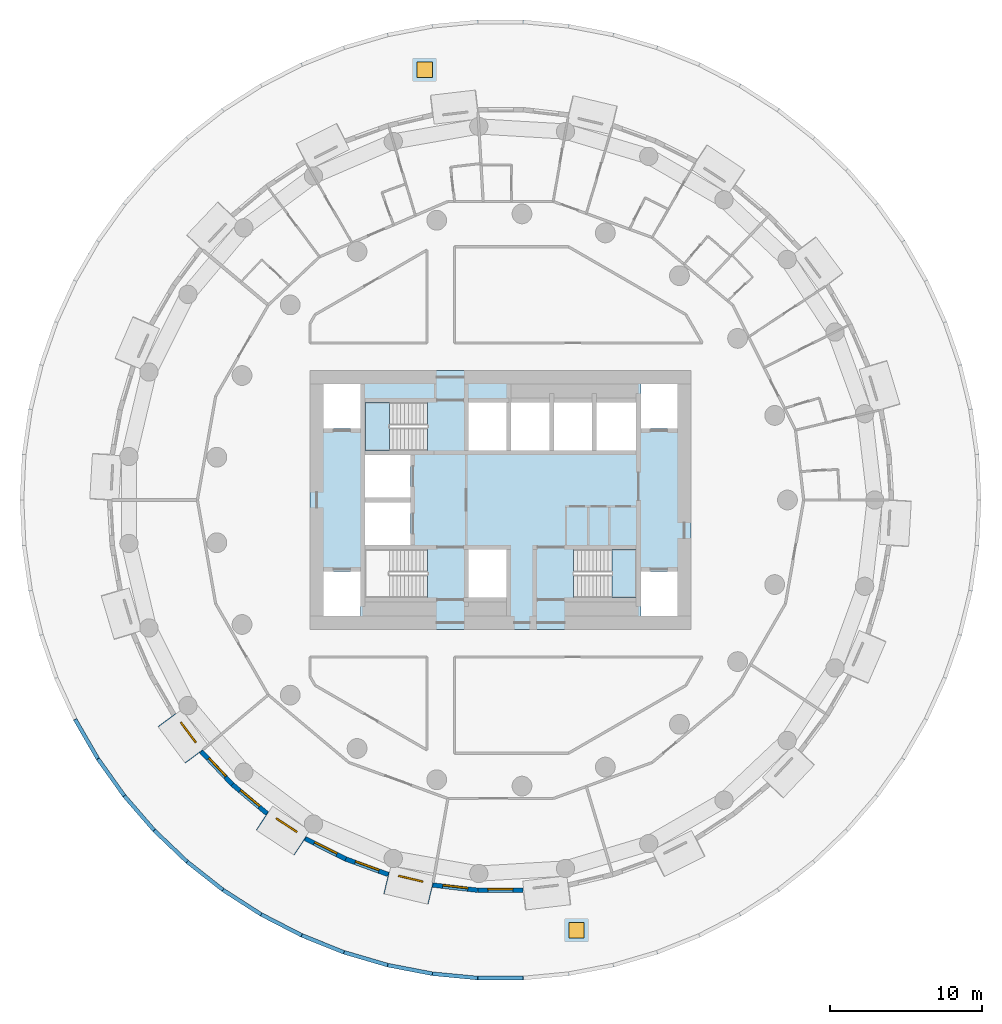
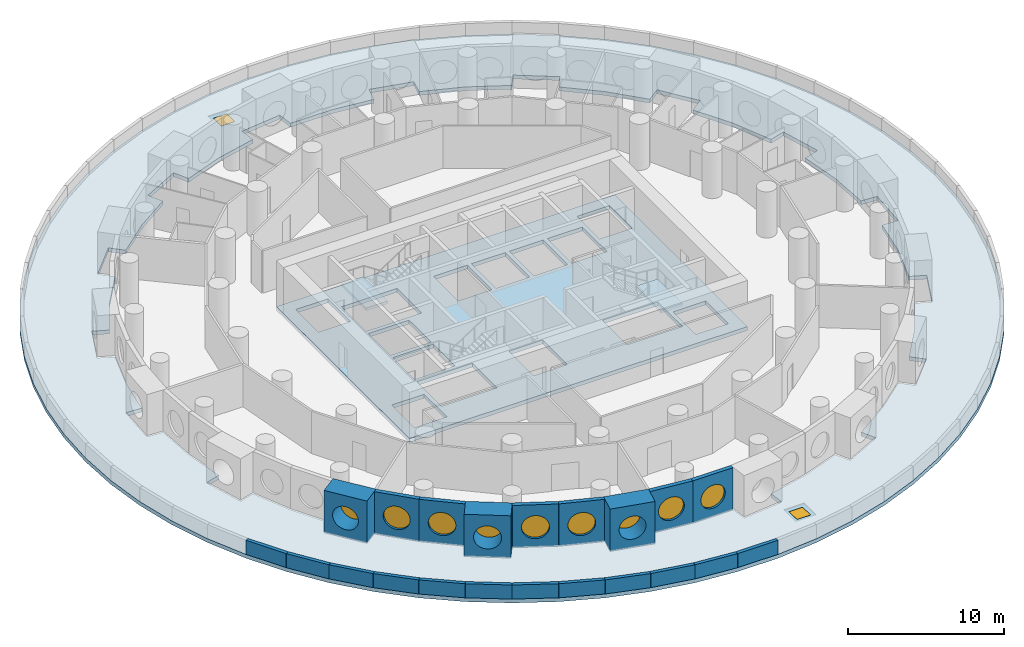
# One storey, part 2 of 13: 21 walls, 11 windows, 4 slabs, 11 openings, 2 elements without a shape of their own.
"""IFC4 building model written with IfcOpenShell, lengths in metres."""

from ifc_helpers import new_model, si_unit, direction, frame, frame_2d, origin, origin_2d, place, context, subcontext, project, spatial, polyline, rectangle, circle, outline, extrude, material, layer, layer_set, type_object, element, fill, aggregate, save


model = new_model("IFC4")

# Units and contexts
model_context = context("Model", 3, precision=1e-05, world=origin(), true_north=direction((0.0, 1.0)))
body_context = subcontext(model_context, "Body", "Model", "MODEL_VIEW")
ifc_project = project(units=[si_unit("LENGTHUNIT", "METRE"), si_unit("AREAUNIT", "SQUARE_METRE"), si_unit("VOLUMEUNIT", "CUBIC_METRE"), si_unit("PLANEANGLEUNIT", "RADIAN"), si_unit("MASSUNIT", "GRAM", prefix="KILO")], contexts=[model_context])

# Site, building, storey
site_placement = place(None, origin())
site = spatial("IfcSite", under=ifc_project, at=site_placement, CompositionType="ELEMENT")
building_placement = place(site_placement, origin())
building = spatial("IfcBuilding", under=site, at=building_placement, Name="Tracery Tower", CompositionType="ELEMENT")
storey_placement = place(building_placement, frame((0.0, 0.0, 126.0)))
storey = spatial("IfcBuildingStorey", under=building, at=storey_placement, Name="L31", CompositionType="ELEMENT", Elevation=126.0)

# Slab
ifc_material_1 = material(Name="Concrete C50/60", Category="concrete")
ifc_layer_1 = layer(ifc_material_1, 0.300048828125)
ifc_layer_set_1 = layer_set([ifc_layer_1], Name="Core floor slab 300 C50")
slab_type_1 = type_object("IfcSlabType", Name="Core floor slab 300 C50", PredefinedType="FLOOR", material=ifc_layer_set_1)
slab_1_placement = place(storey_placement, frame((0.0, 0.0, -0.300048828125)))
element("IfcSlab", 1, at=slab_1_placement, inside=storey, type_object=slab_type_1, Name="L31 core floor 1", PredefinedType="FLOOR", context=body_context, shape_type="SweptSolid", body=[
    extrude(outline(polyline([(-12.5, 8.5), (12.5, 8.5), (12.5, -8.5), (-12.5, -8.5), (-12.5, 8.5)]), holes=[polyline([(11.60009765625, -4.699951171875), (9.199951171875, -4.699951171875), (9.199951171875, -7.60009765625), (11.60009765625, -7.60009765625), (11.60009765625, -4.699951171875)]), polyline([(11.60009765625, 4.699951171875), (11.60009765625, 7.60009765625), (9.199951171875, 7.60009765625), (9.199951171875, 4.699951171875), (11.60009765625, 4.699951171875)]), polyline([(4.800537109375, -6.39990234375), (8.89990234375, -6.39990234375), (8.89990234375, -3.25), (4.800537109375, -3.25), (4.800537109375, -6.39990234375)]), polyline([(8.89990234375, 3.25), (8.89990234375, 6.39990234375), (6.300048828125, 6.39990234375), (6.300048828125, 3.25), (8.89990234375, 3.25)]), polyline([(6.0, 3.25), (6.0, 6.39990234375), (3.5, 6.39990234375), (3.5, 3.25), (6.0, 3.25)]), polyline([(3.199951171875, 3.25), (3.199951171875, 6.39990234375), (0.699951171875, 6.39990234375), (0.699951171875, 3.25), (3.199951171875, 3.25)]), polyline([(0.39990234375, -6.39990234375), (0.39990234375, -3.25), (-2.10009765625, -3.25), (-2.10009765625, -6.39990234375), (0.39990234375, -6.39990234375)]), polyline([(0.39990234375, 3.25), (0.39990234375, 6.39990234375), (-2.10009765625, 6.39990234375), (-2.10009765625, 3.25), (0.39990234375, 3.25)]), polyline([(-4.800537109375, -3.25), (-8.89990234375, -3.25), (-8.89990234375, -6.39990234375), (-4.800537109375, -6.39990234375), (-4.800537109375, -3.25)]), polyline([(-4.800537109375, 6.39990234375), (-8.89990234375, 6.39990234375), (-8.89990234375, 3.25), (-4.800537109375, 3.25), (-4.800537109375, 6.39990234375)]), polyline([(-5.89990234375, -2.949951171875), (-5.89990234375, -0.14990234375), (-8.89990234375, -0.14990234375), (-8.89990234375, -2.949951171875), (-5.89990234375, -2.949951171875)]), polyline([(-5.89990234375, 0.14990234375), (-5.89990234375, 2.949951171875), (-8.89990234375, 2.949951171875), (-8.89990234375, 0.14990234375), (-5.89990234375, 0.14990234375)]), polyline([(-9.199951171875, -4.699951171875), (-11.60009765625, -4.699951171875), (-11.60009765625, -7.60009765625), (-9.199951171875, -7.60009765625), (-9.199951171875, -4.699951171875)]), polyline([(-9.199951171875, 4.699951171875), (-9.199951171875, 7.60009765625), (-11.60009765625, 7.60009765625), (-11.60009765625, 4.699951171875), (-9.199951171875, 4.699951171875)])]), origin(), (0.0, 0.0, 1.0), 0.300048828125),
])

# Stair, slab
ifc_material_2 = material(Name="Concrete C32/40", Category="concrete")
stair_type = type_object("IfcStairType", Name="Core stair 22 risers", PredefinedType="HALF_TURN_STAIR", material=ifc_material_2)
stair_1_placement = place(storey_placement, origin())
stair_1 = element("IfcStair", 2, at=stair_1_placement, inside=storey, type_object=stair_type, Name="L31 stair ST3", PredefinedType="HALF_TURN_STAIR")
ifc_material_3 = material(Name="Concrete C32/40", Category="concrete")
ifc_layer_2 = layer(ifc_material_3, 0.199951171875)
ifc_layer_set_2 = layer_set([ifc_layer_2], Name="Stair landing slab 200")
slab_type_2 = type_object("IfcSlabType", Name="Stair landing slab 200", PredefinedType="LANDING", material=ifc_layer_set_2)
slab_2_placement = place(storey_placement, frame((0.0, 0.0, 1.60009765625)))
slab_2 = element("IfcSlab", 3, at=slab_2_placement, type_object=slab_type_2, Name="ST3 landing 1", PredefinedType="LANDING", context=body_context, shape_type="SweptSolid", body=[
    extrude(outline(polyline([(-7.29931640625, 6.39990234375), (-8.89990234375, 6.39990234375), (-8.89990234375, 3.25), (-7.29931640625, 3.25), (-7.29931640625, 6.39990234375)])), origin(), (0.0, 0.0, 1.0), 0.199951171875),
])
aggregate(stair_1, [slab_2])

stair_2_placement = place(storey_placement, origin())
stair_2 = element("IfcStair", 4, at=stair_2_placement, inside=storey, type_object=stair_type, Name="L31 stair ST2", PredefinedType="HALF_TURN_STAIR")
slab_3_placement = place(storey_placement, frame((0.0, 0.0, 1.60009765625)))
slab_3 = element("IfcSlab", 5, at=slab_3_placement, type_object=slab_type_2, Name="ST2 landing 1", PredefinedType="LANDING", context=body_context, shape_type="SweptSolid", body=[
    extrude(outline(polyline([(7.29931640625, -6.39990234375), (8.89990234375, -6.39990234375), (8.89990234375, -3.25), (7.29931640625, -3.25), (7.29931640625, -6.39990234375)])), origin(), (0.0, 0.0, 1.0), 0.199951171875),
])
aggregate(stair_2, [slab_3])

# Slab, openings, windows
ifc_material_4 = material(Name="Concrete C40/50", Category="concrete")
ifc_layer_3 = layer(ifc_material_4, 0.300048828125)
ifc_layer_set_3 = layer_set([ifc_layer_3], Name="Terrace slab 300")
slab_type_3 = type_object("IfcSlabType", Name="Terrace slab 300", PredefinedType="ROOF", material=ifc_layer_set_3)
slab_4_placement = place(storey_placement, frame((0.0, 0.0, -0.300048828125)))
slab_4 = element("IfcSlab", 6, at=slab_4_placement, inside=storey, type_object=slab_type_3, Name="Terrace slab L31", PredefinedType="ROOF", context=body_context, shape_type="SweptSolid", body=[
    extrude(outline(polyline([(31.3818359375, -2.99658203125), (31.524658203125, 0.0), (31.3818359375, 2.99658203125), (30.954833984375, 5.966064453125), (30.24755859375, 8.881591796875), (29.266357421875, 11.716552734375), (28.020263671875, 14.4453125), (26.520263671875, 17.04345703125), (24.780029296875, 19.4873046875), (22.8154296875, 21.75439453125), (20.644287109375, 23.82470703125), (18.2861328125, 25.67919921875), (15.76220703125, 27.301025390625), (13.095703125, 28.67578125), (10.310791015625, 29.790771484375), (7.43212890625, 30.635986328125), (4.486328125, 31.20361328125), (1.5, 31.489013671875), (-1.5, 31.489013671875), (-4.486328125, 31.20361328125), (-7.43212890625, 30.635986328125), (-10.310791015625, 29.790771484375), (-13.095703125, 28.67578125), (-15.76220703125, 27.301025390625), (-18.2861328125, 25.67919921875), (-20.644287109375, 23.82470703125), (-22.8154296875, 21.75439453125), (-24.780029296875, 19.4873046875), (-26.520263671875, 17.04345703125), (-28.020263671875, 14.4453125), (-29.266357421875, 11.716552734375), (-30.24755859375, 8.881591796875), (-30.954833984375, 5.966064453125), (-31.3818359375, 2.99658203125), (-31.524658203125, 0.0), (-31.3818359375, -2.99658203125), (-30.954833984375, -5.966064453125), (-30.24755859375, -8.881591796875), (-29.266357421875, -11.716552734375), (-28.020263671875, -14.4453125), (-26.520263671875, -17.04345703125), (-24.780029296875, -19.4873046875), (-22.8154296875, -21.75439453125), (-20.644287109375, -23.82470703125), (-18.2861328125, -25.67919921875), (-15.76220703125, -27.301025390625), (-13.095703125, -28.67578125), (-10.310791015625, -29.790771484375), (-7.43212890625, -30.635986328125), (-4.486328125, -31.20361328125), (-1.5, -31.489013671875), (1.5, -31.489013671875), (4.486328125, -31.20361328125), (7.43212890625, -30.635986328125), (10.310791015625, -29.790771484375), (13.095703125, -28.67578125), (15.76220703125, -27.301025390625), (18.2861328125, -25.67919921875), (20.644287109375, -23.82470703125), (22.8154296875, -21.75439453125), (24.780029296875, -19.4873046875), (26.520263671875, -17.04345703125), (28.020263671875, -14.4453125), (29.266357421875, -11.716552734375), (30.24755859375, -8.881591796875), (30.954833984375, -5.966064453125), (31.3818359375, -2.99658203125)]), holes=[polyline([(25.102294921875, 5.949462890625), (26.2041015625, 6.279296875), (25.343505859375, 9.1533203125), (24.241943359375, 8.8232421875), (23.0537109375, 11.577880859375), (21.5537109375, 14.176025390625), (22.47607421875, 14.86279296875), (20.6845703125, 17.269287109375), (19.76220703125, 16.58251953125), (17.70361328125, 18.7646484375), (15.4052734375, 20.69287109375), (15.4052734375, 20.69287109375), (16.037353515625, 21.65380859375), (13.53076171875, 23.30224609375), (12.89892578125, 22.341552734375), (10.218017578125, 23.68798828125), (7.39892578125, 24.7138671875), (7.39892578125, 24.7138671875), (7.6640625, 25.8330078125), (4.744873046875, 26.52490234375), (4.479736328125, 25.40576171875), (4.479736328125, 25.40576171875), (1.5, 25.754150390625), (-1.5, 25.754150390625), (-1.5, 25.754150390625), (-1.633544921875, 26.896240234375), (-4.61328125, 26.548095703125), (-4.479736328125, 25.40576171875), (-7.39892578125, 24.7138671875), (-10.218017578125, 23.68798828125), (-10.218017578125, 23.68798828125), (-10.734130859375, 24.715576171875), (-13.4150390625, 23.369140625), (-12.89892578125, 22.341552734375), (-15.4052734375, 20.69287109375), (-17.70361328125, 18.7646484375), (-18.539794921875, 19.5537109375), (-20.5986328125, 17.37158203125), (-19.76220703125, 16.58251953125), (-19.76220703125, 16.58251953125), (-21.5537109375, 14.176025390625), (-23.0537109375, 11.577880859375), (-24.109619140625, 12.033447265625), (-25.2978515625, 9.27880859375), (-24.241943359375, 8.8232421875), (-24.241943359375, 8.8232421875), (-25.102294921875, 5.949462890625), (-25.623291015625, 2.994873046875), (-26.771240234375, 3.061767578125), (-26.94580078125, 0.06689453125), (-25.797607421875, 0.0), (-25.797607421875, 0.0), (-25.623291015625, -2.994873046875), (-25.102294921875, -5.949462890625), (-26.2041015625, -6.279296875), (-25.343505859375, -9.1533203125), (-24.241943359375, -8.8232421875), (-23.0537109375, -11.577880859375), (-21.5537109375, -14.176025390625), (-22.47607421875, -14.86279296875), (-20.6845703125, -17.269287109375), (-19.76220703125, -16.58251953125), (-17.70361328125, -18.7646484375), (-15.4052734375, -20.69287109375), (-15.4052734375, -20.69287109375), (-16.037353515625, -21.65380859375), (-13.53076171875, -23.30224609375), (-12.89892578125, -22.341552734375), (-10.218017578125, -23.68798828125), (-7.39892578125, -24.7138671875), (-7.39892578125, -24.7138671875), (-7.6640625, -25.8330078125), (-4.744873046875, -26.52490234375), (-4.479736328125, -25.40576171875), (-4.479736328125, -25.40576171875), (-1.5, -25.754150390625), (1.5, -25.754150390625), (1.5, -25.754150390625), (1.633544921875, -26.896240234375), (4.61328125, -26.548095703125), (4.479736328125, -25.40576171875), (7.39892578125, -24.7138671875), (10.218017578125, -23.68798828125), (10.218017578125, -23.68798828125), (10.734130859375, -24.715576171875), (13.4150390625, -23.369140625), (12.89892578125, -22.341552734375), (12.89892578125, -22.341552734375), (15.4052734375, -20.69287109375), (17.70361328125, -18.7646484375), (18.539794921875, -19.5537109375), (20.5986328125, -17.37158203125), (19.76220703125, -16.58251953125), (19.76220703125, -16.58251953125), (21.5537109375, -14.176025390625), (23.0537109375, -11.577880859375), (24.109619140625, -12.033447265625), (25.2978515625, -9.27880859375), (24.241943359375, -8.8232421875), (24.241943359375, -8.8232421875), (25.102294921875, -5.949462890625), (25.623291015625, -2.994873046875), (26.771240234375, -3.061767578125), (26.94580078125, -0.06689453125), (25.797607421875, 0.0), (25.623291015625, 2.994873046875), (25.102294921875, 5.949462890625)])]), origin(), (0.0, 0.0, 1.0), 0.300048828125),
])
opening_1_placement = place(slab_4_placement, frame((-4.97705078125, 28.2255859375, 0.0)))
opening_1 = element("IfcOpeningElement", 7, at=opening_1_placement, cuts=slab_4, Name="Opening EW831", PredefinedType="OPENING", context=body_context, shape_type="SweptSolid", body=[
    extrude(rectangle(XDim=1.0, YDim=1.0, at=origin_2d()), origin(), (0.0, 0.0, 1.0), 0.300048828125),
])
opening_2_placement = place(slab_4_placement, frame((4.97705078125, -28.2255859375, 0.0)))
opening_2 = element("IfcOpeningElement", 8, at=opening_2_placement, cuts=slab_4, Name="Opening EW832", PredefinedType="OPENING", context=body_context, shape_type="SweptSolid", body=[
    extrude(rectangle(XDim=1.0, YDim=1.0, at=origin_2d()), origin(), (0.0, 0.0, 1.0), 0.300048828125),
])
ifc_material_5 = material(Name="Steel fire door", Category="steel")
window_type_1 = type_object("IfcWindowType", Name="Roof access hatch 1000 x 1000", PartitioningType="SINGLE_PANEL", PredefinedType="SKYLIGHT", material=ifc_material_5)
window_1_placement = place(opening_1_placement, frame((0.0, 0.0, 0.25)))
window_1 = element("IfcWindow", 9, at=window_1_placement, inside=storey, type_object=window_type_1, Name="Roof access hatch EW831", OverallHeight=1.0, OverallWidth=1.0, PartitioningType="SINGLE_PANEL", PredefinedType="SKYLIGHT", context=body_context, shape_type="SweptSolid", body=[
    extrude(rectangle(XDim=1.0, YDim=1.0, at=origin_2d()), origin(), (0.0, 0.0, 1.0), 0.050048828125),
])
fill(opening_1, window_1)
window_2_placement = place(opening_2_placement, frame((0.0, 0.0, 0.25)))
window_2 = element("IfcWindow", 10, at=window_2_placement, inside=storey, type_object=window_type_1, Name="Roof access hatch EW832", OverallHeight=1.0, OverallWidth=1.0, PartitioningType="SINGLE_PANEL", PredefinedType="SKYLIGHT", context=body_context, shape_type="SweptSolid", body=[
    extrude(rectangle(XDim=1.0, YDim=1.0, at=origin_2d()), origin(), (0.0, 0.0, 1.0), 0.050048828125),
])
fill(opening_2, window_2)

# Wall, opening, window
ifc_material_6 = material(Name="Precast concrete C50/60", Category="concrete")
ifc_layer_4 = layer(ifc_material_6, 1.449951171875)
ifc_layer_set_4 = layer_set([ifc_layer_4], Name="Deep-set bay unit 3000 x 3600, slab edge 300")
wall_type_1 = type_object("IfcWallType", Name="Deep-set bay unit 3000 x 3600, slab edge 300", PredefinedType="ELEMENTEDWALL", material=ifc_layer_set_4)
wall_1_placement = place(storey_placement, frame((-21.89453125, -14.429931640625, -0.300048828125), z_axis=(0.0, 0.0, 1.0), x_axis=(0.597183717734, -0.802104486506, 0.0)))
wall_1 = element("IfcWall", 11, at=wall_1_placement, inside=storey, type_object=wall_type_1, Name="Deep-set bay unit 33 at L31", PredefinedType="ELEMENTEDWALL", context=body_context, shape_type="SweptSolid", body=[
    extrude(rectangle(XDim=3.0, YDim=1.449951171875, at=frame_2d((1.5, 0.0))), origin(), (0.0, 0.0, 1.0), 3.60009765625),
])
opening_3_placement = place(wall_1_placement, frame((1.5, 0.0, 1.85009765625)))
opening_3 = element("IfcOpeningElement", 12, at=opening_3_placement, cuts=wall_1, Name="Opening WN1", PredefinedType="OPENING", context=body_context, shape_type="SweptSolid", body=[
    extrude(circle(Radius=0.9000244140625, at=origin_2d()), frame((0.0, 0.73486328125, 0.0), z_axis=(0.0, -1.0, 0.0), x_axis=(1.0, 0.0, 0.0)), (0.0, 0.0, 1.0), 1.469970703125),
])
ifc_material_7 = material(Name="Aluminium frame with tinted double glazing", Category="aluminium")
window_type_2 = type_object("IfcWindowType", Name="Round window 1800", PartitioningType="SINGLE_PANEL", PredefinedType="WINDOW", material=ifc_material_7)
window_3_placement = place(opening_3_placement, origin())
window_3 = element("IfcWindow", 13, at=window_3_placement, inside=storey, type_object=window_type_2, Name="Round window 33 at L31", OverallHeight=1.800048828125, OverallWidth=1.800048828125, PartitioningType="SINGLE_PANEL", PredefinedType="WINDOW", context=body_context, shape_type="SweptSolid", body=[
    extrude(circle(Radius=0.9000244140625, at=origin_2d()), frame((0.0, 0.69482421875, 0.0), z_axis=(0.0, -1.0, 0.0), x_axis=(1.0, 0.0, 0.0)), (0.0, 0.0, 1.0), 0.10009765625),
])
fill(opening_3, window_3)

wall_2_placement = place(storey_placement, frame((-15.638916015625, -21.048095703125, -0.300048828125), z_axis=(0.0, 0.0, 1.0), x_axis=(0.835514416706, -0.549468524554, 0.0)))
wall_2 = element("IfcWall", 14, at=wall_2_placement, inside=storey, type_object=wall_type_1, Name="Deep-set bay unit 36 at L31", PredefinedType="ELEMENTEDWALL", context=body_context, shape_type="SweptSolid", body=[
    extrude(rectangle(XDim=3.0, YDim=1.449951171875, at=frame_2d((1.5, 0.0))), origin(), (0.0, 0.0, 1.0), 3.60009765625),
])
opening_4_placement = place(wall_2_placement, frame((1.5, 0.0, 1.85009765625)))
opening_4 = element("IfcOpeningElement", 15, at=opening_4_placement, cuts=wall_2, Name="Opening WN1", PredefinedType="OPENING", context=body_context, shape_type="SweptSolid", body=[
    extrude(circle(Radius=0.9000244140625, at=origin_2d()), frame((0.0, 0.73486328125, 0.0), z_axis=(0.0, -1.0, 0.0), x_axis=(1.0, 0.0, 0.0)), (0.0, 0.0, 1.0), 1.469970703125),
])
window_4_placement = place(opening_4_placement, origin())
window_4 = element("IfcWindow", 16, at=window_4_placement, inside=storey, type_object=window_type_2, Name="Round window 36 at L31", OverallHeight=1.800048828125, OverallWidth=1.800048828125, PartitioningType="SINGLE_PANEL", PredefinedType="WINDOW", context=body_context, shape_type="SweptSolid", body=[
    extrude(circle(Radius=0.9000244140625, at=origin_2d()), frame((0.0, 0.69482421875, 0.0), z_axis=(0.0, -1.0, 0.0), x_axis=(1.0, 0.0, 0.0)), (0.0, 0.0, 1.0), 0.10009765625),
])
fill(opening_4, window_4)

wall_3_placement = place(storey_placement, frame((-7.496826171875, -25.12744140625, -0.300048828125), z_axis=(0.0, 0.0, 1.0), x_axis=(0.973042333261, -0.23062657627, 0.0)))
wall_3 = element("IfcWall", 17, at=wall_3_placement, inside=storey, type_object=wall_type_1, Name="Deep-set bay unit 39 at L31", PredefinedType="ELEMENTEDWALL", context=body_context, shape_type="SweptSolid", body=[
    extrude(rectangle(XDim=3.0, YDim=1.449951171875, at=frame_2d((1.5, 0.0))), origin(), (0.0, 0.0, 1.0), 3.60009765625),
])
opening_5_placement = place(wall_3_placement, frame((1.5, 0.0, 1.85009765625)))
opening_5 = element("IfcOpeningElement", 18, at=opening_5_placement, cuts=wall_3, Name="Opening WN1", PredefinedType="OPENING", context=body_context, shape_type="SweptSolid", body=[
    extrude(circle(Radius=0.9000244140625, at=origin_2d()), frame((0.0, 0.73486328125, 0.0), z_axis=(0.0, -1.0, 0.0), x_axis=(1.0, 0.0, 0.0)), (0.0, 0.0, 1.0), 1.469970703125),
])
window_5_placement = place(opening_5_placement, origin())
window_5 = element("IfcWindow", 19, at=window_5_placement, inside=storey, type_object=window_type_2, Name="Round window 39 at L31", OverallHeight=1.800048828125, OverallWidth=1.800048828125, PartitioningType="SINGLE_PANEL", PredefinedType="WINDOW", context=body_context, shape_type="SweptSolid", body=[
    extrude(circle(Radius=0.9000244140625, at=origin_2d()), frame((0.0, 0.69482421875, 0.0), z_axis=(0.0, -1.0, 0.0), x_axis=(1.0, 0.0, 0.0)), (0.0, 0.0, 1.0), 0.10009765625),
])
fill(opening_5, window_5)

ifc_material_8 = material(Name="Precast concrete C50/60", Category="concrete")
ifc_layer_5 = layer(ifc_material_8, 0.300048828125)
ifc_layer_set_5 = layer_set([ifc_layer_5], Name="Facade panel 3000 x 3300")
wall_type_2 = type_object("IfcWallType", Name="Facade panel 3000 x 3300", PredefinedType="SOLIDWALL", material=ifc_layer_set_5)
wall_4_placement = place(storey_placement, frame((-19.640380859375, -16.492919921875, 0.0), z_axis=(0.0, 0.0, 1.0), x_axis=(0.686235184166, -0.727379730273, 0.0)))
wall_4 = element("IfcWall", 20, at=wall_4_placement, inside=storey, type_object=wall_type_2, Name="Facade panel 34 at L31", PredefinedType="SOLIDWALL", context=body_context, shape_type="SweptSolid", body=[
    extrude(rectangle(XDim=2.972900390625, YDim=0.300048828125, at=frame_2d((1.486328125, 0.0))), origin(), (0.0, 0.0, 1.0), 3.300048828125),
])
opening_6_placement = place(wall_4_placement, frame((1.486328125, 0.0, 1.5498046875)))
opening_6 = element("IfcOpeningElement", 21, at=opening_6_placement, cuts=wall_4, Name="Opening WN1", PredefinedType="OPENING", context=body_context, shape_type="SweptSolid", body=[
    extrude(circle(Radius=0.9000244140625, at=origin_2d()), frame((0.0, 0.159912109375, 0.0), z_axis=(0.0, -1.0, 0.0), x_axis=(1.0, 0.0, 0.0)), (0.0, 0.0, 1.0), 0.320068359375),
])
window_6_placement = place(opening_6_placement, origin())
window_6 = element("IfcWindow", 22, at=window_6_placement, inside=storey, type_object=window_type_2, Name="Round window 34 at L31", OverallHeight=1.800048828125, OverallWidth=1.800048828125, PartitioningType="SINGLE_PANEL", PredefinedType="WINDOW", context=body_context, shape_type="SweptSolid", body=[
    extrude(circle(Radius=0.9000244140625, at=origin_2d()), frame((0.0, 0.1201171875, 0.0), z_axis=(0.0, -1.0, 0.0), x_axis=(1.0, 0.0, 0.0)), (0.0, 0.0, 1.0), 0.10009765625),
])
fill(opening_6, window_6)

wall_5_placement = place(storey_placement, frame((-17.600341796875, -18.6552734375, 0.0), z_axis=(0.0, 0.0, 1.0), x_axis=(0.766049350637, -0.642781761089, 0.0)))
wall_5 = element("IfcWall", 23, at=wall_5_placement, inside=storey, type_object=wall_type_2, Name="Facade panel 35 at L31", PredefinedType="SOLIDWALL", context=body_context, shape_type="SweptSolid", body=[
    extrude(rectangle(XDim=2.972900390625, YDim=0.300048828125, at=frame_2d((1.486328125, 0.0))), origin(), (0.0, 0.0, 1.0), 3.300048828125),
])
opening_7_placement = place(wall_5_placement, frame((1.486328125, 0.0, 1.5498046875)))
opening_7 = element("IfcOpeningElement", 24, at=opening_7_placement, cuts=wall_5, Name="Opening WN1", PredefinedType="OPENING", context=body_context, shape_type="SweptSolid", body=[
    extrude(circle(Radius=0.9000244140625, at=origin_2d()), frame((0.0, 0.159912109375, 0.0), z_axis=(0.0, -1.0, 0.0), x_axis=(1.0, 0.0, 0.0)), (0.0, 0.0, 1.0), 0.320068359375),
])
window_7_placement = place(opening_7_placement, origin())
window_7 = element("IfcWindow", 25, at=window_7_placement, inside=storey, type_object=window_type_2, Name="Round window 35 at L31", OverallHeight=1.800048828125, OverallWidth=1.800048828125, PartitioningType="SINGLE_PANEL", PredefinedType="WINDOW", context=body_context, shape_type="SweptSolid", body=[
    extrude(circle(Radius=0.9000244140625, at=origin_2d()), frame((0.0, 0.1201171875, 0.0), z_axis=(0.0, -1.0, 0.0), x_axis=(1.0, 0.0, 0.0)), (0.0, 0.0, 1.0), 0.10009765625),
])
fill(opening_7, window_7)

wall_6_placement = place(storey_placement, frame((-12.815185546875, -22.215576171875, 0.0), z_axis=(0.0, 0.0, 1.0), x_axis=(0.893637442555, -0.448789618045, 0.0)))
wall_6 = element("IfcWall", 26, at=wall_6_placement, inside=storey, type_object=wall_type_2, Name="Facade panel 37 at L31", PredefinedType="SOLIDWALL", context=body_context, shape_type="SweptSolid", body=[
    extrude(rectangle(XDim=2.972900390625, YDim=0.300048828125, at=frame_2d((1.486328125, 0.0))), origin(), (0.0, 0.0, 1.0), 3.300048828125),
])
opening_8_placement = place(wall_6_placement, frame((1.486328125, 0.0, 1.5498046875)))
opening_8 = element("IfcOpeningElement", 27, at=opening_8_placement, cuts=wall_6, Name="Opening WN1", PredefinedType="OPENING", context=body_context, shape_type="SweptSolid", body=[
    extrude(circle(Radius=0.9000244140625, at=origin_2d()), frame((0.0, 0.159912109375, 0.0), z_axis=(0.0, -1.0, 0.0), x_axis=(1.0, 0.0, 0.0)), (0.0, 0.0, 1.0), 0.320068359375),
])
window_8_placement = place(opening_8_placement, origin())
window_8 = element("IfcWindow", 28, at=window_8_placement, inside=storey, type_object=window_type_2, Name="Round window 37 at L31", OverallHeight=1.800048828125, OverallWidth=1.800048828125, PartitioningType="SINGLE_PANEL", PredefinedType="WINDOW", context=body_context, shape_type="SweptSolid", body=[
    extrude(circle(Radius=0.9000244140625, at=origin_2d()), frame((0.0, 0.1201171875, 0.0), z_axis=(0.0, -1.0, 0.0), x_axis=(1.0, 0.0, 0.0)), (0.0, 0.0, 1.0), 0.10009765625),
])
fill(opening_8, window_8)

wall_7_placement = place(storey_placement, frame((-10.158447265625, -23.5498046875, 0.0), z_axis=(0.0, 0.0, 1.0), x_axis=(0.939690282133, -0.342026568652, 0.0)))
wall_7 = element("IfcWall", 29, at=wall_7_placement, inside=storey, type_object=wall_type_2, Name="Facade panel 38 at L31", PredefinedType="SOLIDWALL", context=body_context, shape_type="SweptSolid", body=[
    extrude(rectangle(XDim=2.972900390625, YDim=0.300048828125, at=frame_2d((1.486328125, 0.0))), origin(), (0.0, 0.0, 1.0), 3.300048828125),
])
opening_9_placement = place(wall_7_placement, frame((1.486328125, 0.0, 1.5498046875)))
opening_9 = element("IfcOpeningElement", 30, at=opening_9_placement, cuts=wall_7, Name="Opening WN1", PredefinedType="OPENING", context=body_context, shape_type="SweptSolid", body=[
    extrude(circle(Radius=0.9000244140625, at=origin_2d()), frame((0.0, 0.159912109375, 0.0), z_axis=(0.0, -1.0, 0.0), x_axis=(1.0, 0.0, 0.0)), (0.0, 0.0, 1.0), 0.320068359375),
])
window_9_placement = place(opening_9_placement, origin())
window_9 = element("IfcWindow", 31, at=window_9_placement, inside=storey, type_object=window_type_2, Name="Round window 38 at L31", OverallHeight=1.800048828125, OverallWidth=1.800048828125, PartitioningType="SINGLE_PANEL", PredefinedType="WINDOW", context=body_context, shape_type="SweptSolid", body=[
    extrude(circle(Radius=0.9000244140625, at=origin_2d()), frame((0.0, 0.1201171875, 0.0), z_axis=(0.0, -1.0, 0.0), x_axis=(1.0, 0.0, 0.0)), (0.0, 0.0, 1.0), 0.10009765625),
])
fill(opening_9, window_9)

wall_8_placement = place(storey_placement, frame((-4.444091796875, -25.259033203125, 0.0), z_axis=(0.0, 0.0, 1.0), x_axis=(0.993245010522, -0.1160359818, 0.0)))
wall_8 = element("IfcWall", 32, at=wall_8_placement, inside=storey, type_object=wall_type_2, Name="Facade panel 40 at L31", PredefinedType="SOLIDWALL", context=body_context, shape_type="SweptSolid", body=[
    extrude(rectangle(XDim=2.972900390625, YDim=0.300048828125, at=frame_2d((1.486328125, 0.0))), origin(), (0.0, 0.0, 1.0), 3.300048828125),
])
opening_10_placement = place(wall_8_placement, frame((1.486328125, 0.0, 1.5498046875)))
opening_10 = element("IfcOpeningElement", 33, at=opening_10_placement, cuts=wall_8, Name="Opening WN1", PredefinedType="OPENING", context=body_context, shape_type="SweptSolid", body=[
    extrude(circle(Radius=0.9000244140625, at=origin_2d()), frame((0.0, 0.159912109375, 0.0), z_axis=(0.0, -1.0, 0.0), x_axis=(1.0, 0.0, 0.0)), (0.0, 0.0, 1.0), 0.320068359375),
])
window_10_placement = place(opening_10_placement, origin())
window_10 = element("IfcWindow", 34, at=window_10_placement, inside=storey, type_object=window_type_2, Name="Round window 40 at L31", OverallHeight=1.800048828125, OverallWidth=1.800048828125, PartitioningType="SINGLE_PANEL", PredefinedType="WINDOW", context=body_context, shape_type="SweptSolid", body=[
    extrude(circle(Radius=0.9000244140625, at=origin_2d()), frame((0.0, 0.1201171875, 0.0), z_axis=(0.0, -1.0, 0.0), x_axis=(1.0, 0.0, 0.0)), (0.0, 0.0, 1.0), 0.10009765625),
])
fill(opening_10, window_10)

wall_9_placement = place(storey_placement, frame((-1.4912109375, -25.60400390625, 0.0), z_axis=(0.0, 0.0, 1.0), x_axis=(1.0, 0.0, 0.0)))
wall_9 = element("IfcWall", 35, at=wall_9_placement, inside=storey, type_object=wall_type_2, Name="Facade panel 41 at L31", PredefinedType="SOLIDWALL", context=body_context, shape_type="SweptSolid", body=[
    extrude(rectangle(XDim=2.972900390625, YDim=0.300048828125, at=frame_2d((1.486328125, 0.0))), origin(), (0.0, 0.0, 1.0), 3.300048828125),
])
opening_11_placement = place(wall_9_placement, frame((1.486328125, 0.0, 1.5498046875)))
opening_11 = element("IfcOpeningElement", 36, at=opening_11_placement, cuts=wall_9, Name="Opening WN1", PredefinedType="OPENING", context=body_context, shape_type="SweptSolid", body=[
    extrude(circle(Radius=0.9000244140625, at=origin_2d()), frame((0.0, 0.159912109375, 0.0), z_axis=(0.0, -1.0, 0.0), x_axis=(1.0, 0.0, 0.0)), (0.0, 0.0, 1.0), 0.320068359375),
])
window_11_placement = place(opening_11_placement, origin())
window_11 = element("IfcWindow", 37, at=window_11_placement, inside=storey, type_object=window_type_2, Name="Round window 41 at L31", OverallHeight=1.800048828125, OverallWidth=1.800048828125, PartitioningType="SINGLE_PANEL", PredefinedType="WINDOW", context=body_context, shape_type="SweptSolid", body=[
    extrude(circle(Radius=0.9000244140625, at=origin_2d()), frame((0.0, 0.1201171875, 0.0), z_axis=(0.0, -1.0, 0.0), x_axis=(1.0, 0.0, 0.0)), (0.0, 0.0, 1.0), 0.10009765625),
])
fill(opening_11, window_11)

# Walls
ifc_material_9 = material(Name="Precast concrete C50/60", Category="concrete")
ifc_layer_6 = layer(ifc_material_9, 0.25)
ifc_layer_set_6 = layer_set([ifc_layer_6], Name="Terrace parapet 250")
wall_type_3 = type_object("IfcWallType", Name="Terrace parapet 250", PredefinedType="PARAPET", material=ifc_layer_set_6)
wall_10_placement = place(storey_placement, frame((-27.905517578125, -14.39404296875, 0.0), z_axis=(0.0, 0.0, 1.0), x_axis=(0.499997208602, -0.866027015393, 0.0)))
element("IfcWall", 38, at=wall_10_placement, inside=storey, type_object=wall_type_3, Name="Terrace parapet L31 39", PredefinedType="PARAPET", context=body_context, shape_type="SweptSolid", body=[
    extrude(rectangle(XDim=2.97412109375, YDim=0.25, at=frame_2d((1.487060546875, 0.0))), origin(), (0.0, 0.0, 1.0), 1.10009765625),
])
wall_11_placement = place(storey_placement, frame((-26.410888671875, -16.9814453125, 0.0), z_axis=(0.0, 0.0, 1.0), x_axis=(0.580010699198, -0.814608856332, 0.0)))
element("IfcWall", 39, at=wall_11_placement, inside=storey, type_object=wall_type_3, Name="Terrace parapet L31 40", PredefinedType="PARAPET", context=body_context, shape_type="SweptSolid", body=[
    extrude(rectangle(XDim=2.974365234375, YDim=0.25, at=frame_2d((1.4873046875, 0.0))), origin(), (0.0, 0.0, 1.0), 1.10009765625),
])
for number, where, z_axis, x_axis, name in (
    (40, (-24.677001953125, -19.4150390625, 0.0), (0.0, 0.0, 1.0), (0.654818024412, -0.755786580263, 0.0), "Terrace parapet L31 41"),
    (41, (-22.7197265625, -21.6728515625, 0.0), (0.0, 0.0, 1.0), (0.723694638812, -0.69012032991, 0.0), "Terrace parapet L31 42"),
):
    element("IfcWall", number, at=place(storey_placement, frame(where, z_axis=z_axis, x_axis=x_axis)), inside=storey, type_object=wall_type_3, Name=name, PredefinedType="PARAPET", context=body_context, shape_type="SweptSolid", body=[
        extrude(rectangle(XDim=2.97412109375, YDim=0.25, at=frame_2d((1.487060546875, 0.0))), origin(), (0.0, 0.0, 1.0), 1.10009765625),
    ])
wall_12_placement = place(storey_placement, frame((-20.556884765625, -23.734375, 0.0), z_axis=(0.0, 0.0, 1.0), x_axis=(0.786039120206, -0.618176755876, 0.0)))
element("IfcWall", 42, at=wall_12_placement, inside=storey, type_object=wall_type_3, Name="Terrace parapet L31 43", PredefinedType="PARAPET", context=body_context, shape_type="SweptSolid", body=[
    extrude(rectangle(XDim=2.974365234375, YDim=0.25, at=frame_2d((1.4873046875, 0.0))), origin(), (0.0, 0.0, 1.0), 1.10009765625),
])
wall_13_placement = place(storey_placement, frame((-18.20751953125, -25.5810546875, 0.0), z_axis=(0.0, 0.0, 1.0), x_axis=(0.841253148051, -0.540641416185, 0.0)))
element("IfcWall", 43, at=wall_13_placement, inside=storey, type_object=wall_type_3, Name="Terrace parapet L31 44", PredefinedType="PARAPET", context=body_context, shape_type="SweptSolid", body=[
    extrude(rectangle(XDim=2.97412109375, YDim=0.25, at=frame_2d((1.487060546875, 0.0))), origin(), (0.0, 0.0, 1.0), 1.10009765625),
])
for number, where, z_axis, x_axis, name in (
    (44, (-15.693603515625, -27.19580078125, 0.0), (0.0, 0.0, 1.0), (0.888809436449, -0.458276974852, 0.0), "Terrace parapet L31 45"),
    (45, (-13.037353515625, -28.564453125, 0.0), (0.0, 0.0, 1.0), (0.928363429238, -0.371673705357, 0.0), "Terrace parapet L31 46"),
):
    element("IfcWall", number, at=place(storey_placement, frame(where, z_axis=z_axis, x_axis=x_axis)), inside=storey, type_object=wall_type_3, Name=name, PredefinedType="PARAPET", context=body_context, shape_type="SweptSolid", body=[
        extrude(rectangle(XDim=2.974365234375, YDim=0.25, at=frame_2d((1.4873046875, 0.0))), origin(), (0.0, 0.0, 1.0), 1.10009765625),
    ])
wall_14_placement = place(storey_placement, frame((-10.26318359375, -29.674560546875, 0.0), z_axis=(0.0, 0.0, 1.0), x_axis=(0.959497413058, -0.281717437045, 0.0)))
element("IfcWall", 46, at=wall_14_placement, inside=storey, type_object=wall_type_3, Name="Terrace parapet L31 47", PredefinedType="PARAPET", context=body_context, shape_type="SweptSolid", body=[
    extrude(rectangle(XDim=2.97412109375, YDim=0.25, at=frame_2d((1.487060546875, 0.0))), origin(), (0.0, 0.0, 1.0), 1.10009765625),
])
wall_15_placement = place(storey_placement, frame((-7.39599609375, -30.515625, 0.0), z_axis=(0.0, 0.0, 1.0), x_axis=(0.98192380474, -0.189276627412, 0.0)))
element("IfcWall", 47, at=wall_15_placement, inside=storey, type_object=wall_type_3, Name="Terrace parapet L31 48", PredefinedType="PARAPET", context=body_context, shape_type="SweptSolid", body=[
    extrude(rectangle(XDim=2.974365234375, YDim=0.25, at=frame_2d((1.4873046875, 0.0))), origin(), (0.0, 0.0, 1.0), 1.10009765625),
])
for number, where, z_axis, x_axis, name in (
    (48, (-4.461669921875, -31.08056640625, 0.0), (0.0, 0.0, 1.0), (0.995471830115, -0.095057011567, 0.0), "Terrace parapet L31 49"),
    (49, (-1.487060546875, -31.364013671875, 0.0), (0.0, 0.0, 1.0), (1.0, 0.0, 0.0), "Terrace parapet L31 50"),
):
    element("IfcWall", number, at=place(storey_placement, frame(where, z_axis=z_axis, x_axis=x_axis)), inside=storey, type_object=wall_type_3, Name=name, PredefinedType="PARAPET", context=body_context, shape_type="SweptSolid", body=[
        extrude(rectangle(XDim=2.97412109375, YDim=0.25, at=frame_2d((1.487060546875, 0.0))), origin(), (0.0, 0.0, 1.0), 1.10009765625),
    ])

save(model, "model.ifc")
